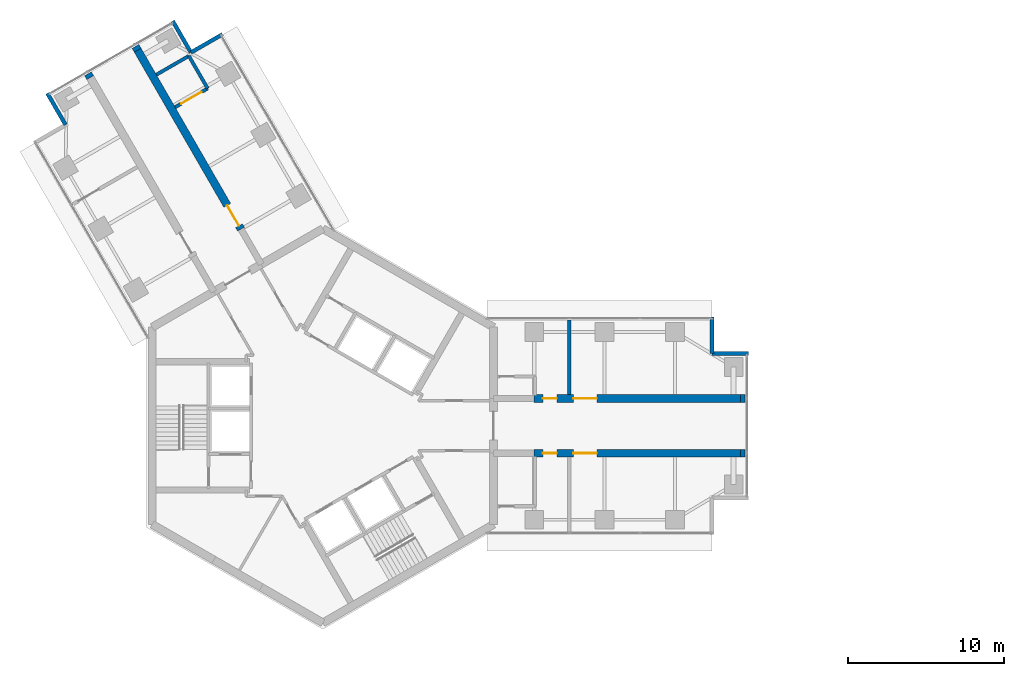
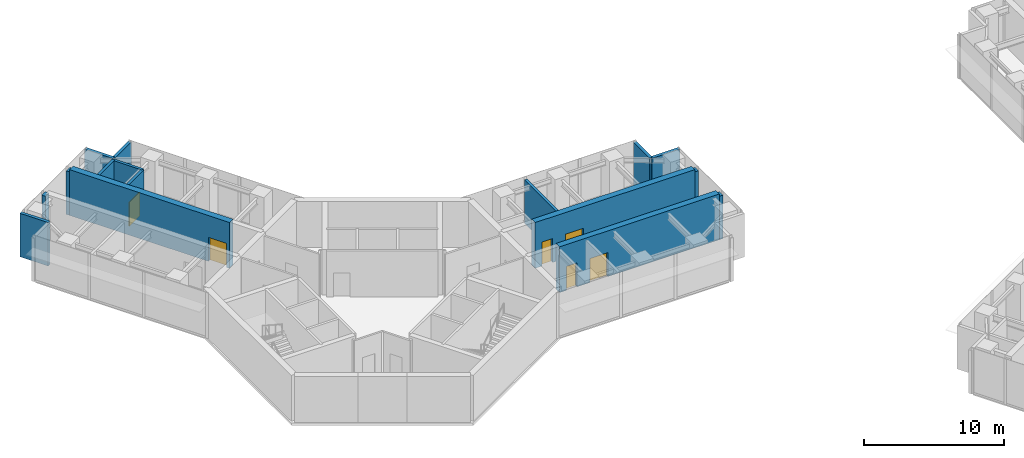
# One storey, part 13 of 17: 16 walls, 6 doors, 6 openings.
"""IFC4 building model written with IfcOpenShell, lengths in metres."""

from ifc_helpers import new_model, si_unit, direction, frame, frame_2d, origin, place, context, subcontext, project, spatial, rectangle, extrude, material, layer, layer_set, type_object, element, fill, save


model = new_model("IFC4")

# Units and contexts
model_context = context("Model", 3, precision=1e-05, world=origin(), true_north=direction((0.0, 1.0)))
body_context = subcontext(model_context, "Body", "Model", "MODEL_VIEW")
ifc_project = project(units=[si_unit("LENGTHUNIT", "METRE"), si_unit("AREAUNIT", "SQUARE_METRE"), si_unit("VOLUMEUNIT", "CUBIC_METRE"), si_unit("PLANEANGLEUNIT", "RADIAN"), si_unit("MASSUNIT", "GRAM", prefix="KILO")], contexts=[model_context])

# Site, building, storey
site_placement = place(None, origin())
site = spatial("IfcSite", under=ifc_project, at=site_placement, CompositionType="ELEMENT")
building_placement = place(site_placement, origin())
building = spatial("IfcBuilding", under=site, at=building_placement, Name="Upepo Twin Towers", CompositionType="ELEMENT")
storey_placement = place(building_placement, frame((0.0, 0.0, 178.5)))
storey = spatial("IfcBuildingStorey", under=building, at=storey_placement, Name="L43", CompositionType="ELEMENT", Elevation=178.5)

# Walls
ifc_material_1 = material(Name="Concrete blockwork, plastered both faces", Category="masonry")
ifc_layer_1 = layer(ifc_material_1, 0.215087890625)
ifc_layer_set_1 = layer_set([ifc_layer_1], Name="Blockwork partition 215")
wall_type_1 = type_object("IfcWallType", Name="Blockwork partition 215", PredefinedType="PARTITIONING", material=ifc_layer_set_1)
wall_1_placement = place(storey_placement, frame((15.75, 2.0, 0.0), z_axis=(0.0, 0.0, 1.0), x_axis=(0.0, 1.0, 0.0)))
element("IfcWall", 1, at=wall_1_placement, inside=storey, type_object=wall_type_1, Name="T1 partition AL at 15.75", PredefinedType="PARTITIONING", context=body_context, shape_type="SweptSolid", body=[
    extrude(rectangle(XDim=4.75, YDim=0.215087890625, at=frame_2d((2.375, 0.0))), origin(), (0.0, 0.0, 1.0), 3.800048828125),
])
wall_2_placement = place(storey_placement, frame((-7.364501953125, 21.5556640625, 0.0), z_axis=(0.0, 0.0, 1.0), x_axis=(-0.500001309137, 0.866024647952, 0.0)))
element("IfcWall", 2, at=wall_2_placement, inside=storey, type_object=wall_type_1, Name="T1 inner room partition BR at 22.35", PredefinedType="PARTITIONING", context=body_context, shape_type="SweptSolid", body=[
    extrude(rectangle(XDim=2.39990234375, YDim=0.215087890625, at=frame_2d((1.199951171875, 0.0))), origin(), (0.0, 0.0, 1.0), 3.800048828125),
])

# Wall, opening, door
wall_3_placement = place(storey_placement, frame((-9.44287109375, 20.355712890625, 0.0), z_axis=(0.0, 0.0, 1.0), x_axis=(0.866024647952, 0.500001309137, 0.0)))
wall_3 = element("IfcWall", 3, at=wall_3_placement, inside=storey, type_object=wall_type_1, Name="T1 inner room partition BR end at 22.35", PredefinedType="PARTITIONING", context=body_context, shape_type="SweptSolid", body=[
    extrude(rectangle(XDim=2.39990234375, YDim=0.215087890625, at=frame_2d((1.199951171875, 0.0))), origin(), (0.0, 0.0, 1.0), 3.800048828125),
])
opening_1_placement = place(wall_3_placement, frame((0.449951171875, 0.0, 0.0)))
opening_1 = element("IfcOpeningElement", 4, at=opening_1_placement, cuts=wall_3, Name="Opening D13", PredefinedType="OPENING", context=body_context, shape_type="SweptSolid", body=[
    extrude(rectangle(XDim=1.5, YDim=2.10009765625, at=frame_2d((0.75, 1.050048828125))), frame((0.0, 0.117431640625, 0.0), z_axis=(0.0, -1.0, 0.0), x_axis=(1.0, 0.0, 0.0)), (0.0, 0.0, 1.0), 0.235107421875),
])
ifc_material_2 = material(Name="Timber doorset", Category="wood")
door_type_1 = type_object("IfcDoorType", Name="Double door 1500 FD30", OperationType="DOUBLE_DOOR_SINGLE_SWING", PredefinedType="DOOR", material=ifc_material_2)
door_1_placement = place(opening_1_placement, origin())
door_1 = element("IfcDoor", 5, at=door_1_placement, inside=storey, type_object=door_type_1, Name="T1 L43 inner room door", OperationType="DOUBLE_DOOR_SINGLE_SWING", OverallHeight=2.10009765625, OverallWidth=1.5, PredefinedType="DOOR", context=body_context, shape_type="SweptSolid", body=[
    extrude(rectangle(XDim=1.5, YDim=2.10009765625, at=frame_2d((0.75, 1.050048828125))), frame((0.0, 0.02490234375, 0.0), z_axis=(0.0, -1.0, 0.0), x_axis=(1.0, 0.0, 0.0)), (0.0, 0.0, 1.0), 0.050048828125),
])
fill(opening_1, door_1)

# Walls
wall_4_placement = place(storey_placement, frame((-10.64306640625, 22.43408203125, 0.0), z_axis=(0.0, 0.0, 1.0), x_axis=(0.866050077142, 0.499957262057, 0.0)))
element("IfcWall", 6, at=wall_4_placement, inside=storey, type_object=wall_type_1, Name="T1 inner room partition BR end at 24.75", PredefinedType="PARTITIONING", context=body_context, shape_type="SweptSolid", body=[
    extrude(rectangle(XDim=2.400146484375, YDim=0.215087890625, at=frame_2d((1.2001953125, 0.0))), origin(), (0.0, 0.0, 1.0), 3.800048828125),
])
ifc_material_3 = material(Name="Dense concrete blockwork", Category="masonry")
ifc_layer_2 = layer(ifc_material_3, 0.5)
ifc_layer_set_2 = layer_set([ifc_layer_2], Name="Buttress closer 500, blockwork with fire-stopping to the curtain wall")
wall_type_2 = type_object("IfcWallType", Name="Buttress closer 500, blockwork with fire-stopping to the curtain wall", PredefinedType="PARTITIONING", material=ifc_layer_set_2)
for number, where, z_axis, x_axis, name in (
    (7, (26.699951171875, 1.75, 0.0), (0.0, 0.0, 1.0), (1.0, 0.0, 0.0), "T1 L43 wing A buttress closer L"),
    (8, (26.699951171875, -1.75, 0.0), (0.0, 0.0, 1.0), (1.0, 0.0, 0.0), "T1 L43 wing A buttress closer R"),
    (9, (-14.865478515625, 22.247802734375, 0.0), (0.0, 0.0, 1.0), (-0.500065409566, 0.86598763626, 0.0), "T1 L43 wing B buttress closer L"),
    (10, (-11.83447265625, 23.997802734375, 0.0), (0.0, 0.0, 1.0), (-0.500065409566, 0.86598763626, 0.0), "T1 L43 wing B buttress closer R"),
):
    element("IfcWall", number, at=place(storey_placement, frame(where, z_axis=z_axis, x_axis=x_axis)), inside=storey, type_object=wall_type_2, Name=name, PredefinedType="PARTITIONING", context=body_context, shape_type="SweptSolid", body=[
        extrude(rectangle(XDim=0.28759765625, YDim=0.5, at=frame_2d((0.143798828125, 0.0))), origin(), (0.0, 0.0, 1.0), 3.800048828125),
    ])

# Wall, openings, doors
ifc_material_4 = material(Name="Concrete C60/75", Category="concrete")
ifc_layer_3 = layer(ifc_material_4, 0.5)
ifc_layer_set_3 = layer_set([ifc_layer_3], Name="Concrete C60/75")
wall_type_3 = type_object("IfcWallType", Name="Buttress wall 500 RC", PredefinedType="SHEAR", material=ifc_layer_set_3)
wall_5_placement = place(storey_placement, frame((13.5, 1.75, 0.0), z_axis=(0.0, 0.0, 1.0), x_axis=(1.0, 0.0, 0.0)))
wall_5 = element("IfcWall", 11, at=wall_5_placement, inside=storey, type_object=wall_type_3, Name="T1 wing A buttress wall L part 2", PredefinedType="SHEAR", context=body_context, shape_type="SweptSolid", body=[
    extrude(rectangle(XDim=13.199951171875, YDim=0.5, at=frame_2d((6.60009765625, 0.0))), origin(), (0.0, 0.0, 1.0), 4.0),
])
opening_2_placement = place(wall_5_placement, frame((0.550048828125, 0.0, 0.0)))
opening_2 = element("IfcOpeningElement", 12, at=opening_2_placement, cuts=wall_5, Name="Opening D11", PredefinedType="OPENING", context=body_context, shape_type="SweptSolid", body=[
    extrude(rectangle(XDim=0.89990234375, YDim=2.10009765625, at=frame_2d((0.449951171875, 1.050048828125))), frame((0.0, 0.260009765625, 0.0), z_axis=(0.0, -1.0, 0.0), x_axis=(1.0, 0.0, 0.0)), (0.0, 0.0, 1.0), 0.52001953125),
])
opening_3_placement = place(wall_5_placement, frame((2.5, 0.0, 0.0)))
opening_3 = element("IfcOpeningElement", 13, at=opening_3_placement, cuts=wall_5, Name="Opening D13", PredefinedType="OPENING", context=body_context, shape_type="SweptSolid", body=[
    extrude(rectangle(XDim=1.5, YDim=2.10009765625, at=frame_2d((0.75, 1.050048828125))), frame((0.0, 0.260009765625, 0.0), z_axis=(0.0, -1.0, 0.0), x_axis=(1.0, 0.0, 0.0)), (0.0, 0.0, 1.0), 0.52001953125),
])
door_2_placement = place(opening_3_placement, origin())
door_2 = element("IfcDoor", 14, at=door_2_placement, inside=storey, type_object=door_type_1, Name="T1 L43 engineering laboratory door", OperationType="DOUBLE_DOOR_SINGLE_SWING", OverallHeight=2.10009765625, OverallWidth=1.5, PredefinedType="DOOR", context=body_context, shape_type="SweptSolid", body=[
    extrude(rectangle(XDim=1.5, YDim=2.10009765625, at=frame_2d((0.75, 1.050048828125))), frame((0.0, 0.02490234375, 0.0), z_axis=(0.0, -1.0, 0.0), x_axis=(1.0, 0.0, 0.0)), (0.0, 0.0, 1.0), 0.050048828125),
])
fill(opening_3, door_2)
ifc_material_5 = material(Name="Timber doorset", Category="wood")
door_type_2 = type_object("IfcDoorType", Name="Toilet door 900", OperationType="SINGLE_SWING_LEFT", PredefinedType="DOOR", material=ifc_material_5)
door_3_placement = place(opening_2_placement, origin())
door_3 = element("IfcDoor", 15, at=door_3_placement, inside=storey, type_object=door_type_2, Name="T1 L43 toilets door", OperationType="SINGLE_SWING_LEFT", OverallHeight=2.10009765625, OverallWidth=0.89990234375, PredefinedType="DOOR", context=body_context, shape_type="SweptSolid", body=[
    extrude(rectangle(XDim=0.89990234375, YDim=2.10009765625, at=frame_2d((0.449951171875, 1.050048828125))), frame((0.0, 0.02490234375, 0.0), z_axis=(0.0, -1.0, 0.0), x_axis=(1.0, 0.0, 0.0)), (0.0, 0.0, 1.0), 0.050048828125),
])
fill(opening_2, door_3)

wall_6_placement = place(storey_placement, frame((13.5, -1.75, 0.0), z_axis=(0.0, 0.0, 1.0), x_axis=(1.0, 0.0, 0.0)))
wall_6 = element("IfcWall", 16, at=wall_6_placement, inside=storey, type_object=wall_type_3, Name="T1 wing A buttress wall R part 2", PredefinedType="SHEAR", context=body_context, shape_type="SweptSolid", body=[
    extrude(rectangle(XDim=13.199951171875, YDim=0.5, at=frame_2d((6.60009765625, 0.0))), origin(), (0.0, 0.0, 1.0), 4.0),
])
opening_4_placement = place(wall_6_placement, frame((0.550048828125, 0.0, 0.0)))
opening_4 = element("IfcOpeningElement", 17, at=opening_4_placement, cuts=wall_6, Name="Opening D11", PredefinedType="OPENING", context=body_context, shape_type="SweptSolid", body=[
    extrude(rectangle(XDim=0.89990234375, YDim=2.10009765625, at=frame_2d((0.449951171875, 1.050048828125))), frame((0.0, 0.260009765625, 0.0), z_axis=(0.0, -1.0, 0.0), x_axis=(1.0, 0.0, 0.0)), (0.0, 0.0, 1.0), 0.52001953125),
])
opening_5_placement = place(wall_6_placement, frame((2.5, 0.0, 0.0)))
opening_5 = element("IfcOpeningElement", 18, at=opening_5_placement, cuts=wall_6, Name="Opening D13", PredefinedType="OPENING", context=body_context, shape_type="SweptSolid", body=[
    extrude(rectangle(XDim=1.5, YDim=2.10009765625, at=frame_2d((0.75, 1.050048828125))), frame((0.0, 0.260009765625, 0.0), z_axis=(0.0, -1.0, 0.0), x_axis=(1.0, 0.0, 0.0)), (0.0, 0.0, 1.0), 0.52001953125),
])
door_4_placement = place(opening_5_placement, origin())
door_4 = element("IfcDoor", 19, at=door_4_placement, inside=storey, type_object=door_type_1, Name="T1 L43 engineering laboratory door", OperationType="DOUBLE_DOOR_SINGLE_SWING", OverallHeight=2.10009765625, OverallWidth=1.5, PredefinedType="DOOR", context=body_context, shape_type="SweptSolid", body=[
    extrude(rectangle(XDim=1.5, YDim=2.10009765625, at=frame_2d((0.75, 1.050048828125))), frame((0.0, 0.02490234375, 0.0), z_axis=(0.0, -1.0, 0.0), x_axis=(1.0, 0.0, 0.0)), (0.0, 0.0, 1.0), 0.050048828125),
])
fill(opening_5, door_4)
door_5_placement = place(opening_4_placement, origin())
door_5 = element("IfcDoor", 20, at=door_5_placement, inside=storey, type_object=door_type_2, Name="T1 L43 accessible wc door", OperationType="SINGLE_SWING_LEFT", OverallHeight=2.10009765625, OverallWidth=0.89990234375, PredefinedType="DOOR", context=body_context, shape_type="SweptSolid", body=[
    extrude(rectangle(XDim=0.89990234375, YDim=2.10009765625, at=frame_2d((0.449951171875, 1.050048828125))), frame((0.0, 0.02490234375, 0.0), z_axis=(0.0, -1.0, 0.0), x_axis=(1.0, 0.0, 0.0)), (0.0, 0.0, 1.0), 0.050048828125),
])
fill(opening_4, door_5)

# Wall, opening, door
wall_7_placement = place(storey_placement, frame((-5.234375, 12.56640625, 0.0), z_axis=(0.0, 0.0, 1.0), x_axis=(-0.500010103361, 0.866019570528, 0.0)))
wall_7 = element("IfcWall", 21, at=wall_7_placement, inside=storey, type_object=wall_type_3, Name="T1 wing B buttress wall R part 2", PredefinedType="SHEAR", context=body_context, shape_type="SweptSolid", body=[
    extrude(rectangle(XDim=13.199951171875, YDim=0.5, at=frame_2d((6.60009765625, 0.0))), origin(), (0.0, 0.0, 1.0), 4.0),
])
opening_6_placement = place(wall_7_placement, frame((0.25, 0.0, 0.0)))
opening_6 = element("IfcOpeningElement", 22, at=opening_6_placement, cuts=wall_7, Name="Opening D13", PredefinedType="OPENING", context=body_context, shape_type="SweptSolid", body=[
    extrude(rectangle(XDim=1.5, YDim=2.10009765625, at=frame_2d((0.75, 1.050048828125))), frame((0.0, 0.260009765625, 0.0), z_axis=(0.0, -1.0, 0.0), x_axis=(1.0, 0.0, 0.0)), (0.0, 0.0, 1.0), 0.52001953125),
])
door_6_placement = place(opening_6_placement, origin())
door_6 = element("IfcDoor", 23, at=door_6_placement, inside=storey, type_object=door_type_1, Name="T1 L43 engineering laboratory door", OperationType="DOUBLE_DOOR_SINGLE_SWING", OverallHeight=2.10009765625, OverallWidth=1.5, PredefinedType="DOOR", context=body_context, shape_type="SweptSolid", body=[
    extrude(rectangle(XDim=1.5, YDim=2.10009765625, at=frame_2d((0.75, 1.050048828125))), frame((0.0, 0.02490234375, 0.0), z_axis=(0.0, -1.0, 0.0), x_axis=(1.0, 0.0, 0.0)), (0.0, 0.0, 1.0), 0.050048828125),
])
fill(opening_6, door_6)

# Walls
ifc_material_6 = material(Name="Blockwork with anodised aluminium cladding", Category="masonry")
ifc_layer_4 = layer(ifc_material_6, 0.25)
ifc_layer_set_4 = layer_set([ifc_layer_4], Name="Notch cladding wall 250, pale metal")
wall_type_4 = type_object("IfcWallType", Name="Notch cladding wall 250, pale metal", PredefinedType="STANDARD", material=ifc_layer_set_4)
for number, where, z_axis, x_axis, name in (
    (24, (24.875, 6.949951171875, 0.0), (0.0, 0.0, 1.0), (0.0, -1.0, 0.0), "T1 L43 wing A notch wall L1"),
    (25, (24.875, 4.625, 0.0), (0.0, 0.0, 1.0), (1.0, 0.0, 0.0), "T1 L43 wing A notch wall L2"),
    (26, (-16.44287109375, 19.22998046875, 0.0), (0.0, 0.0, 1.0), (-0.500046648681, 0.865998469481, 0.0), "T1 L43 wing B notch wall L2"),
    (27, (-6.418701171875, 25.017333984375, 0.0), (0.0, 0.0, 1.0), (-0.866043940782, -0.499967891604, 0.0), "T1 L43 wing B notch wall R1"),
    (28, (-8.43212890625, 23.85498046875, 0.0), (0.0, 0.0, 1.0), (-0.500046648681, 0.865998469481, 0.0), "T1 L43 wing B notch wall R2"),
):
    element("IfcWall", number, at=place(storey_placement, frame(where, z_axis=z_axis, x_axis=x_axis)), inside=storey, type_object=wall_type_4, Name=name, PredefinedType="STANDARD", context=body_context, shape_type="SweptSolid", body=[
        extrude(rectangle(XDim=2.324951171875, YDim=0.25, at=frame_2d((1.16259765625, 0.0))), origin(), (0.0, 0.0, 1.0), 3.800048828125),
    ])

save(model, "model.ifc")
